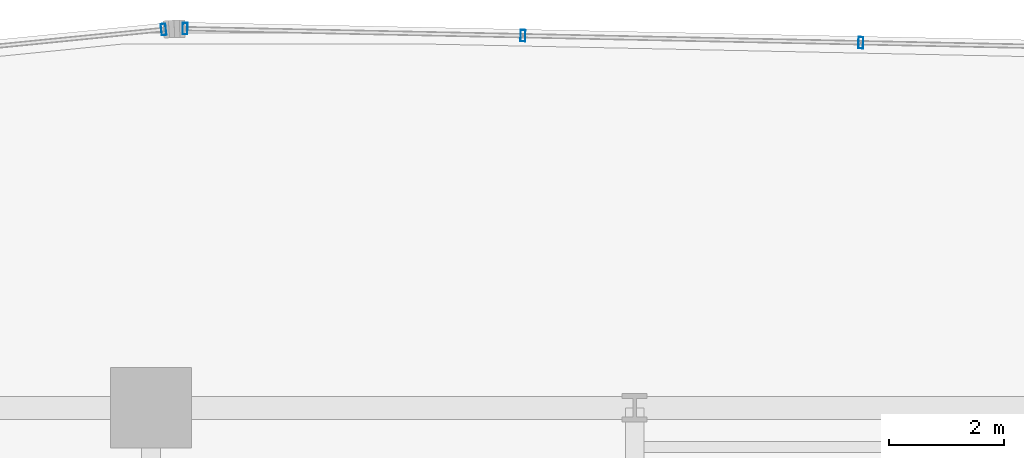
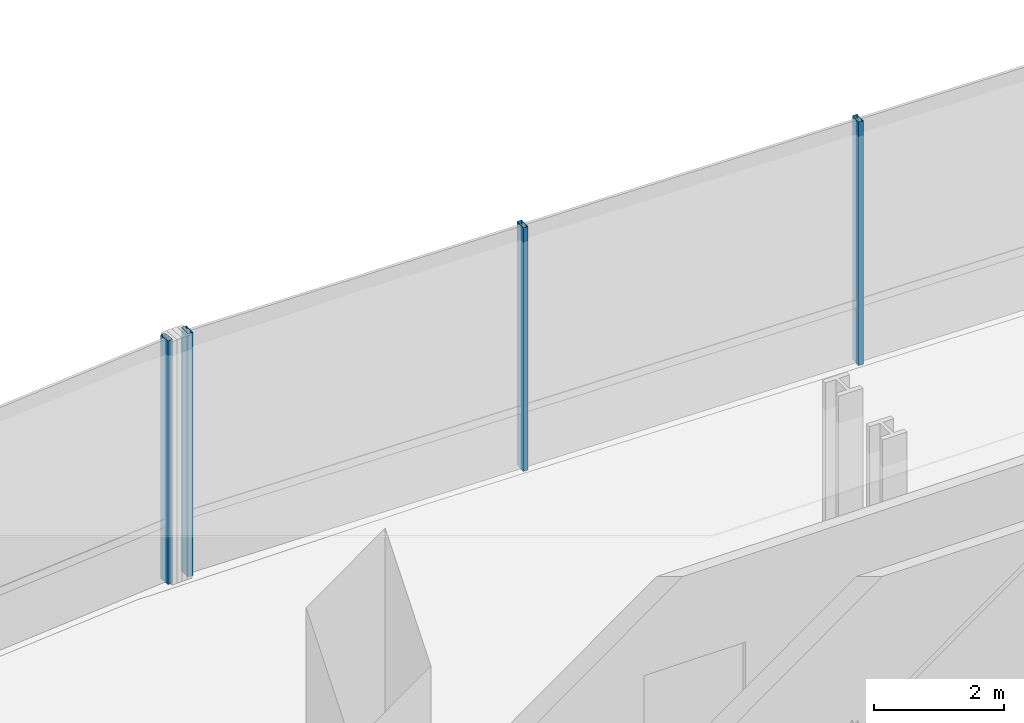
# One storey, part 25 of 39: 4 members, 2 elements without a shape of their own.
"""IFC4 building model written with IfcOpenShell, lengths in metres."""

import ifcopenshell
import ifcopenshell.guid

model = None  # the IFC model being written
_history = None  # IfcOwnerHistory: only IFC2X3 demands one
_inside = {}  # id of a spatial element -> (the spatial element, [elements in it])
_under = {}  # id of a project, library or spatial element -> (it, [spatial elements below it])
_declared = {}  # id of a project -> (the project, [libraries it declares])
_typed = {}  # id of a type object -> (the type object, [elements of that type])
_made_of = {}  # id of a material, layer set ... -> (it, [elements and type objects made of it])


def new_model(schema):
    """Start an empty IFC model of exactly this schema.

    Asked for "IFC4X3", IfcOpenShell would pick the latest addendum, in which some entities
    have other attributes; the version numbers below select the first issue.
    IFC2X3 requires an IfcOwnerHistory on every rooted entity: one is made here for all.
    """
    global model, _history
    if schema == "IFC4X3":
        model = ifcopenshell.file(schema_version=(4, 3, 0, 0))
    else:
        model = ifcopenshell.file(schema=schema)
    _inside.clear()
    _under.clear()
    _declared.clear()
    _typed.clear()
    _made_of.clear()
    _history = None
    if model.schema == "IFC2X3":
        org = make("IfcOrganization", Name="unknown")
        user = make(
            "IfcPersonAndOrganization",
            ThePerson=make("IfcPerson", FamilyName="unknown"),
            TheOrganization=org,
        )
        app = make(
            "IfcApplication",
            ApplicationDeveloper=org,
            Version="unknown",
            ApplicationFullName="unknown",
            ApplicationIdentifier="unknown",
        )
        _history = make(
            "IfcOwnerHistory",
            OwningUser=user,
            OwningApplication=app,
            ChangeAction="ADDED",
            CreationDate=0,
        )
    return model


def make(cls, **values):
    """One entity of the class cls with the attributes given. An attribute that is None is left unset."""
    return model.create_entity(
        cls, **{name: value for name, value in values.items() if value is not None}
    )


def rooted(cls, **values):
    """An entity with a GlobalId (a new one), such as an element, a storey or a relation."""
    return make(cls, GlobalId=ifcopenshell.guid.new(), OwnerHistory=_history, **values)


def si_unit(unit_type, name, prefix=None):
    """IfcSIUnit, for example si_unit("LENGTHUNIT", "METRE", prefix="MILLI")."""
    return make("IfcSIUnit", UnitType=unit_type, Prefix=prefix, Name=name)


def assignment(units):
    """IfcUnitAssignment: the units of a project."""
    return None if units is None else make("IfcUnitAssignment", Units=units)


def point(xyz):
    """IfcCartesianPoint."""
    return None if xyz is None else make("IfcCartesianPoint", Coordinates=xyz)


def direction(xyz):
    """IfcDirection."""
    return None if xyz is None else make("IfcDirection", DirectionRatios=xyz)


def frame(location, z_axis=None, x_axis=None):
    """IfcAxis2Placement3D, a coordinate frame: its origin and axes. An axis left out is left unset."""
    return make(
        "IfcAxis2Placement3D",
        Location=point(location),
        Axis=direction(z_axis),
        RefDirection=direction(x_axis),
    )


def frame_2d(location, x_axis=None):
    """IfcAxis2Placement2D, a coordinate frame in the plane: its origin and x axis."""
    return make(
        "IfcAxis2Placement2D", Location=point(location), RefDirection=direction(x_axis)
    )


def origin():
    """The frame at (0, 0, 0) with its axes left unset."""
    return frame((0.0, 0.0, 0.0))


def origin_2d():
    """The frame at (0, 0) in the plane with its x axis left unset."""
    return frame_2d((0.0, 0.0))


def place(relative_to, where):
    """IfcLocalPlacement: puts the frame where relative to a parent placement (None: the world)."""
    return make(
        "IfcLocalPlacement", PlacementRelTo=relative_to, RelativePlacement=where
    )


def context(
    kind, dimensions, precision=None, world=None, true_north=None, identifier=None
):
    """IfcGeometricRepresentationContext, for example the 3D "Model" context."""
    return make(
        "IfcGeometricRepresentationContext",
        ContextIdentifier=identifier,
        ContextType=kind,
        CoordinateSpaceDimension=dimensions,
        Precision=precision,
        WorldCoordinateSystem=world,
        TrueNorth=true_north,
    )


def subcontext(parent, identifier, kind, view, scale=None):
    """IfcGeometricRepresentationSubContext, for example "Body" below "Model"."""
    return make(
        "IfcGeometricRepresentationSubContext",
        ContextIdentifier=identifier,
        ContextType=kind,
        ParentContext=parent,
        TargetScale=scale,
        TargetView=view,
    )


def project(units=None, contexts=None):
    """IfcProject with its units and contexts."""
    return rooted(
        "IfcProject",
        Name="project",
        RepresentationContexts=contexts,
        UnitsInContext=assignment(units),
    )


def spatial(cls, under=None, at=None, **own):
    """A site, building, storey or space (cls), placed at a placement, below another one or the project."""
    s = rooted(cls, ObjectPlacement=at, **own)
    if under is not None:
        _under.setdefault(under.id(), (under, []))[1].append(s)
    return s


def profile(cls, at=None, kind="AREA", **sizes):
    """A parametric profile (cls). Its sizes go by their IFC names, for example OverallWidth=200.0."""
    return make(cls, ProfileType=kind, Position=at, **sizes)


def hollow_rectangle(**sizes):
    """IfcRectangleHollowProfileDef."""
    return profile("IfcRectangleHollowProfileDef", **sizes)


def extrude(swept, where, along, depth):
    """IfcExtrudedAreaSolid: the profile swept, set in the frame where, extruded along a direction by depth."""
    return make(
        "IfcExtrudedAreaSolid",
        SweptArea=swept,
        Position=where,
        ExtrudedDirection=direction(along),
        Depth=depth,
    )


def shape(context_of_items, identifier, shape_type, items):
    """IfcShapeRepresentation: the items that make up one representation, for example the "Body"."""
    return make(
        "IfcShapeRepresentation",
        ContextOfItems=context_of_items,
        RepresentationIdentifier=identifier,
        RepresentationType=shape_type,
        Items=items,
    )


def source(mapping_origin, context_of_items, identifier, shape_type, items):
    """IfcRepresentationMap: a shape defined once, which mapped items show again and again."""
    return make(
        "IfcRepresentationMap",
        MappingOrigin=mapping_origin,
        MappedRepresentation=shape(context_of_items, identifier, shape_type, items),
    )


def transform(
    local_origin,
    x_axis=None,
    y_axis=None,
    z_axis=None,
    scale=None,
    scale2=None,
    scale3=None,
    uniform=True,
):
    """IfcCartesianTransformationOperator3D, or its non-uniform kind. x_axis, y_axis, z_axis: its Axis1, 2, 3."""
    if uniform:
        return make(
            "IfcCartesianTransformationOperator3D",
            Axis1=direction(x_axis),
            Axis2=direction(y_axis),
            LocalOrigin=point(local_origin),
            Scale=scale,
            Axis3=direction(z_axis),
        )
    return make(
        "IfcCartesianTransformationOperator3DnonUniform",
        Axis1=direction(x_axis),
        Axis2=direction(y_axis),
        LocalOrigin=point(local_origin),
        Scale=scale,
        Axis3=direction(z_axis),
        Scale2=scale2,
        Scale3=scale3,
    )


def mapped(mapping_source, mapping_target):
    """IfcMappedItem: shows the shape of a source again, moved by a transform."""
    return make(
        "IfcMappedItem", MappingSource=mapping_source, MappingTarget=mapping_target
    )


def material(Name=None, Category=None):
    """IfcMaterial."""
    return make("IfcMaterial", Name=Name, Category=Category)


def material_profile(
    of_material, cross_section, Name=None, Category=None, Priority=None
):
    """IfcMaterialProfile: a cross section and its material."""
    return make(
        "IfcMaterialProfile",
        Name=Name,
        Material=of_material,
        Profile=cross_section,
        Priority=Priority,
        Category=Category,
    )


def profile_set(profiles, Name=None, composite=None):
    """IfcMaterialProfileSet."""
    return make(
        "IfcMaterialProfileSet",
        Name=Name,
        MaterialProfiles=profiles,
        CompositeProfile=composite,
    )


def made_of(thing, what):
    """Note that an element or type object is made of a material, layer set ...; save() writes the relation."""
    if what is not None:
        _made_of.setdefault(what.id(), (what, []))[1].append(thing)
    return thing


def type_object(cls, material=None, **own):
    """A type object (cls), such as IfcWallType, which elements share."""
    return made_of(rooted(cls, **own), material)


def element(
    cls,
    number,
    at=None,
    inside=None,
    cuts=None,
    type_object=None,
    material=None,
    context=None,
    identifier="Body",
    shape_type=None,
    held_by="IfcProductDefinitionShape",
    body=None,
    shapes=None,
    **own,
):
    """One element of the class cls, such as IfcWall. Its Tag is "e" and its number.

    at: its placement. inside: the storey or other place that contains it. cuts: it is an
    opening in that element (IfcRelVoidsElement). A single representation is given by context,
    identifier, shape_type and body (its items); several are given by shapes. held_by: the class
    of the entity that holds the representations. save() writes the other relations.
    """
    e = rooted(cls, Tag="e%d" % number, ObjectPlacement=at, **own)
    if body is not None:
        shapes = [shape(context, identifier, shape_type, body)]
    if shapes is not None:
        e.Representation = make(held_by, Representations=shapes)
    if inside is not None:
        _inside.setdefault(inside.id(), (inside, []))[1].append(e)
    if cuts is not None:
        rooted(
            "IfcRelVoidsElement", RelatingBuildingElement=cuts, RelatedOpeningElement=e
        )
    if type_object is not None:
        _typed.setdefault(type_object.id(), (type_object, []))[1].append(e)
    return made_of(e, material)


def aggregate(whole, parts):
    """IfcRelAggregates: a whole, such as a stair, and the parts it consists of."""
    return rooted("IfcRelAggregates", RelatingObject=whole, RelatedObjects=parts)


def save(model, path):
    """Write the relations noted so far, then the file.

    IfcRelAggregates (storeys below a building ...), IfcRelContainedInSpatialStructure (elements
    in a storey), IfcRelDefinesByType, IfcRelAssociatesMaterial and IfcRelDeclares: one each for
    every whole, place, type object, material and project.
    """
    for whole, parts in _under.values():
        aggregate(whole, parts)
    for where, things in _inside.values():
        rooted(
            "IfcRelContainedInSpatialStructure",
            RelatedElements=things,
            RelatingStructure=where,
        )
    for kind, things in _typed.values():
        rooted("IfcRelDefinesByType", RelatedObjects=things, RelatingType=kind)
    for what, things in _made_of.values():
        rooted("IfcRelAssociatesMaterial", RelatedObjects=things, RelatingMaterial=what)
    for by, libraries in _declared.values():
        rooted("IfcRelDeclares", RelatingContext=by, RelatedDefinitions=libraries)
    model.write(path)


model = new_model("IFC4")

# Units and contexts
model_context = context("Model", 3, precision=1e-05, world=origin(), true_north=direction((0.0, 1.0)))
body_context = subcontext(model_context, "Body", "Model", "MODEL_VIEW")
ifc_project = project(units=[si_unit("LENGTHUNIT", "METRE"), si_unit("AREAUNIT", "SQUARE_METRE"), si_unit("VOLUMEUNIT", "CUBIC_METRE"), si_unit("PLANEANGLEUNIT", "RADIAN"), si_unit("MASSUNIT", "GRAM", prefix="KILO")], contexts=[model_context])

# Site, building, storey
site_placement = place(None, origin())
site = spatial("IfcSite", under=ifc_project, at=site_placement, CompositionType="ELEMENT")
building_placement = place(site_placement, origin())
building = spatial("IfcBuilding", under=site, at=building_placement, Name="Valdorenza Pilgrim Sanctuary Tower", CompositionType="ELEMENT")
storey_placement = place(building_placement, frame((0.0, 0.0, 96.300048828125)))
storey = spatial("IfcBuildingStorey", under=building, at=storey_placement, Name="L24", CompositionType="ELEMENT", Elevation=96.300048828125)

# Curtain wall, member
ifc_material_1 = material(Name="Curtain-wall IGU glazing", Category="glass")
curtain_wall_type = type_object("IfcCurtainWallType", Name="CW-SYS-02", PredefinedType="NOTDEFINED", material=ifc_material_1)
curtain_wall_1_placement = place(storey_placement, origin())
curtain_wall_1 = element("IfcCurtainWall", 1, at=curtain_wall_1_placement, inside=storey, type_object=curtain_wall_type, Name="L24 Curtain Wall CW-L24-1-6", PredefinedType="NOTDEFINED")
ifc_material_2 = material(Name="Anodised aluminium AW-6060", Category="aluminium")
ifc_material_profile = material_profile(ifc_material_2, hollow_rectangle(XDim=0.0849609375, YDim=0.199951171875, WallThickness=0.0048828125, at=origin_2d()), Name="ALU-M 200x85x5")
ifc_profile_set = profile_set([ifc_material_profile], Name="Anodised aluminium AW-6060")
member_type = type_object("IfcMemberType", Name="CW-MUL-02", PredefinedType="MULLION", material=ifc_profile_set)
shared_shape = source(origin(), body_context, "Body", "SweptSolid", [
    extrude(hollow_rectangle(XDim=0.0849609375, YDim=0.199951171875, WallThickness=0.0048828125, at=origin_2d()), origin(), (0.0, 0.0, 1.0), 4.56005859375),
])
member_1_placement = place(storey_placement, frame((-12.181884765625, 21.371337890625, 0.0), z_axis=(0.0, 0.0, 1.0), x_axis=(0.995038220239, 0.099493418189, 0.0)))
member_1 = element("IfcMember", 2, at=member_1_placement, type_object=member_type, Name="CW-L24-1-6 Mullion 4", PredefinedType="MULLION", context=body_context, shape_type="MappedRepresentation", body=[
    mapped(shared_shape, transform((0.0, 0.0, 0.0), x_axis=(1.0, 0.0, 0.0), y_axis=(0.0, 1.0, 0.0), z_axis=(0.0, 0.0, 1.0), scale=1.0)),
])
aggregate(curtain_wall_1, [member_1])

# Curtain wall, members
curtain_wall_2_placement = place(storey_placement, origin())
curtain_wall_2 = element("IfcCurtainWall", 3, at=curtain_wall_2_placement, inside=storey, type_object=curtain_wall_type, Name="L24 Curtain Wall CW-L24-1-11", PredefinedType="NOTDEFINED")
member_2_placement = place(storey_placement, frame((-11.808349609375, 21.385986328125, 0.0), z_axis=(0.0, 0.0, 1.0), x_axis=(0.999783234613, -0.020820273474, 0.0)))
member_2 = element("IfcMember", 4, at=member_2_placement, type_object=member_type, Name="CW-L24-1-11 Mullion 1", PredefinedType="MULLION", context=body_context, shape_type="MappedRepresentation", body=[
    mapped(shared_shape, transform((0.0, 0.0, 0.0), x_axis=(1.0, 0.0, 0.0), y_axis=(0.0, 1.0, 0.0), z_axis=(0.0, 0.0, 1.0), scale=1.0)),
])
member_3_placement = place(storey_placement, frame((-5.93994140625, 21.263671875, 0.0), z_axis=(0.0, 0.0, 1.0), x_axis=(0.999783234613, -0.020820273474, 0.0)))
member_3 = element("IfcMember", 5, at=member_3_placement, type_object=member_type, Name="CW-L24-1-11 Mullion 2", PredefinedType="MULLION", context=body_context, shape_type="MappedRepresentation", body=[
    mapped(shared_shape, transform((0.0, 0.0, 0.0), x_axis=(1.0, 0.0, 0.0), y_axis=(0.0, 1.0, 0.0), z_axis=(0.0, 0.0, 1.0), scale=1.0)),
])
member_4_placement = place(storey_placement, frame((-0.0712890625, 21.1416015625, 0.0), z_axis=(0.0, 0.0, 1.0), x_axis=(0.999783234613, -0.020820273474, 0.0)))
member_4 = element("IfcMember", 6, at=member_4_placement, type_object=member_type, Name="CW-L24-1-11 Mullion 3", PredefinedType="MULLION", context=body_context, shape_type="MappedRepresentation", body=[
    mapped(shared_shape, transform((0.0, 0.0, 0.0), x_axis=(1.0, 0.0, 0.0), y_axis=(0.0, 1.0, 0.0), z_axis=(0.0, 0.0, 1.0), scale=1.0)),
])
aggregate(curtain_wall_2, [member_2, member_3, member_4])

save(model, "model.ifc")
